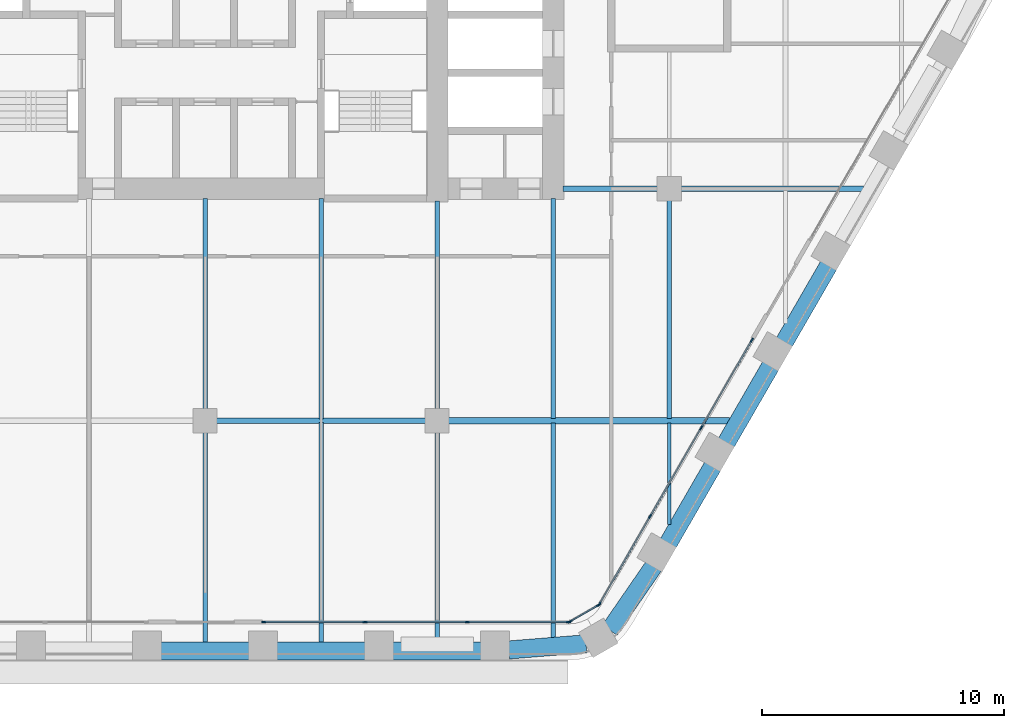
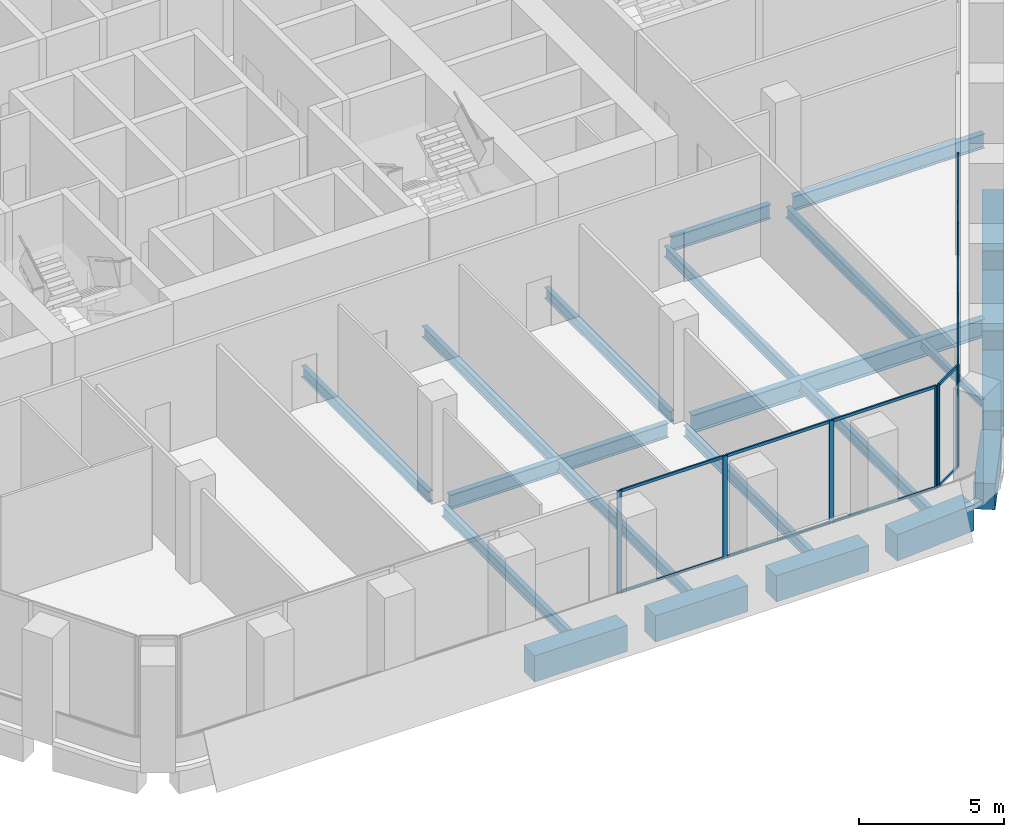
# One storey, part 4 of 22: 24 members, 22 beams, 3 elements without a shape of their own.
"""IFC4 building model written with IfcOpenShell, lengths in metres."""

from ifc_helpers import new_model, si_unit, direction, frame, origin, origin_2d, place, context, subcontext, project, spatial, rectangle, i_section, extrude, material, material_profile, profile_set, type_object, element, aggregate, save


model = new_model("IFC4")

# Units and contexts
model_context = context("Model", 3, precision=1e-05, world=origin(), true_north=direction((0.0, 1.0)))
body_context = subcontext(model_context, "Body", "Model", "MODEL_VIEW")
ifc_project = project(units=[si_unit("LENGTHUNIT", "METRE"), si_unit("AREAUNIT", "SQUARE_METRE"), si_unit("VOLUMEUNIT", "CUBIC_METRE"), si_unit("PLANEANGLEUNIT", "RADIAN"), si_unit("MASSUNIT", "GRAM", prefix="KILO")], contexts=[model_context])

# Site, building, storey
site_placement = place(None, origin())
site = spatial("IfcSite", under=ifc_project, at=site_placement, CompositionType="ELEMENT")
building_placement = place(site_placement, origin())
building = spatial("IfcBuilding", under=site, at=building_placement, Name="Kolab Exchange Tower", CompositionType="ELEMENT")
storey_placement = place(building_placement, frame((0.0, 0.0, 113.89990234375)))
storey = spatial("IfcBuildingStorey", under=building, at=storey_placement, Name="L22", CompositionType="ELEMENT", Elevation=113.89990234375)

# Beams
ifc_material_1 = material(Name="Steel S355", Category="steel")
ifc_material_profile_1 = material_profile(ifc_material_1, i_section(OverallWidth=0.1650390625, OverallDepth=0.31005859375, WebThickness=0.005859375, FlangeThickness=0.009765625, at=origin_2d()), Name="W310X39")
ifc_profile_set_1 = profile_set([ifc_material_profile_1], Name="Steel S355")
beam_type_1 = type_object("IfcBeamType", Name="FLOOR BEAM W310X39", PredefinedType="BEAM", material=ifc_profile_set_1)
beam_1_placement = place(storey_placement, frame((19.199951171875, -23.4814453125, -0.35498046875), z_axis=(0.0, 1.0, 0.0), x_axis=(-1.0, 0.0, 0.0)))
element("IfcBeam", 1, at=beam_1_placement, inside=storey, type_object=beam_type_1, Name="beam/L22/fr/040", PredefinedType="BEAM", context=body_context, shape_type="SweptSolid", body=[
    extrude(i_section(OverallWidth=0.1650390625, OverallDepth=0.31005859375, WebThickness=0.005859375, FlangeThickness=0.009765625, at=origin_2d()), origin(), (0.0, 0.0, 1.0), 4.18798828125),
])
ifc_material_profile_2 = material_profile(ifc_material_1, i_section(OverallWidth=0.18994140625, OverallDepth=0.45703125, WebThickness=0.009033203125, FlangeThickness=0.014404296875, at=origin_2d()), Name="W460X74")
ifc_profile_set_2 = profile_set([ifc_material_profile_2], Name="Steel S355")
beam_type_2 = type_object("IfcBeamType", Name="FLOOR BEAM W460X74", PredefinedType="BEAM", material=ifc_profile_set_2)
beam_2_placement = place(storey_placement, frame((0.0, -28.388427734375, -0.428466796875), z_axis=(0.0, 1.0, 0.0), x_axis=(-1.0, 0.0, 0.0)))
element("IfcBeam", 2, at=beam_2_placement, inside=storey, type_object=beam_type_2, Name="beam/L22/fr/024", PredefinedType="BEAM", context=body_context, shape_type="SweptSolid", body=[
    extrude(i_section(OverallWidth=0.18994140625, OverallDepth=0.45703125, WebThickness=0.009033203125, FlangeThickness=0.014404296875, at=origin_2d()), origin(), (0.0, 0.0, 1.0), 8.728515625),
])
beam_3_placement = place(storey_placement, frame((0.0, -18.739990234375, -0.428466796875), z_axis=(0.0, 1.0, 0.0), x_axis=(-1.0, 0.0, 0.0)))
element("IfcBeam", 3, at=beam_3_placement, inside=storey, type_object=beam_type_2, Name="beam/L22/fr/025", PredefinedType="BEAM", context=body_context, shape_type="SweptSolid", body=[
    extrude(i_section(OverallWidth=0.18994140625, OverallDepth=0.45703125, WebThickness=0.009033203125, FlangeThickness=0.014404296875, at=origin_2d()), origin(), (0.0, 0.0, 1.0), 8.72998046875),
])
beam_4_placement = place(storey_placement, frame((4.800048828125, -28.388427734375, -0.428466796875), z_axis=(0.0, 1.0, 0.0), x_axis=(-1.0, 0.0, 0.0)))
element("IfcBeam", 4, at=beam_4_placement, inside=storey, type_object=beam_type_2, Name="beam/L22/fr/028", PredefinedType="BEAM", context=body_context, shape_type="SweptSolid", body=[
    extrude(i_section(OverallWidth=0.18994140625, OverallDepth=0.45703125, WebThickness=0.009033203125, FlangeThickness=0.014404296875, at=origin_2d()), origin(), (0.0, 0.0, 1.0), 9.114501953125),
])
beam_5_placement = place(storey_placement, frame((4.800048828125, -19.1259765625, -0.428466796875), z_axis=(0.0, 1.0, 0.0), x_axis=(-1.0, 0.0, 0.0)))
element("IfcBeam", 5, at=beam_5_placement, inside=storey, type_object=beam_type_2, Name="beam/L22/fr/029", PredefinedType="BEAM", context=body_context, shape_type="SweptSolid", body=[
    extrude(i_section(OverallWidth=0.18994140625, OverallDepth=0.45703125, WebThickness=0.009033203125, FlangeThickness=0.014404296875, at=origin_2d()), origin(), (0.0, 0.0, 1.0), 9.115966796875),
])
beam_6_placement = place(storey_placement, frame((9.60009765625, -28.388427734375, -0.428466796875), z_axis=(0.0, 1.0, 0.0), x_axis=(-1.0, 0.0, 0.0)))
element("IfcBeam", 6, at=beam_6_placement, inside=storey, type_object=beam_type_2, Name="beam/L22/fr/032", PredefinedType="BEAM", context=body_context, shape_type="SweptSolid", body=[
    extrude(i_section(OverallWidth=0.18994140625, OverallDepth=0.45703125, WebThickness=0.009033203125, FlangeThickness=0.014404296875, at=origin_2d()), origin(), (0.0, 0.0, 1.0), 8.728515625),
])
beam_7_placement = place(storey_placement, frame((9.60009765625, -18.739990234375, -0.428466796875), z_axis=(0.0, 1.0, 0.0), x_axis=(-1.0, 0.0, 0.0)))
element("IfcBeam", 7, at=beam_7_placement, inside=storey, type_object=beam_type_2, Name="beam/L22/fr/033", PredefinedType="BEAM", context=body_context, shape_type="SweptSolid", body=[
    extrude(i_section(OverallWidth=0.18994140625, OverallDepth=0.45703125, WebThickness=0.009033203125, FlangeThickness=0.014404296875, at=origin_2d()), origin(), (0.0, 0.0, 1.0), 8.6298828125),
])
beam_8_placement = place(storey_placement, frame((14.39990234375, -28.194580078125, -0.428466796875), z_axis=(0.0, 1.0, 0.0), x_axis=(-1.0, 0.0, 0.0)))
element("IfcBeam", 8, at=beam_8_placement, inside=storey, type_object=beam_type_2, Name="beam/L22/fr/036", PredefinedType="BEAM", context=body_context, shape_type="SweptSolid", body=[
    extrude(i_section(OverallWidth=0.18994140625, OverallDepth=0.45703125, WebThickness=0.009033203125, FlangeThickness=0.014404296875, at=origin_2d()), origin(), (0.0, 0.0, 1.0), 8.901123046875),
])
beam_9_placement = place(storey_placement, frame((14.39990234375, -19.1064453125, -0.428466796875), z_axis=(0.0, 1.0, 0.0), x_axis=(-1.0, 0.0, 0.0)))
element("IfcBeam", 9, at=beam_9_placement, inside=storey, type_object=beam_type_2, Name="beam/L22/fr/037", PredefinedType="BEAM", context=body_context, shape_type="SweptSolid", body=[
    extrude(i_section(OverallWidth=0.18994140625, OverallDepth=0.45703125, WebThickness=0.009033203125, FlangeThickness=0.014404296875, at=origin_2d()), origin(), (0.0, 0.0, 1.0), 9.096435546875),
])
beam_10_placement = place(storey_placement, frame((19.199951171875, -19.1064453125, -0.428466796875), z_axis=(0.0, 1.0, 0.0), x_axis=(-1.0, 0.0, 0.0)))
element("IfcBeam", 10, at=beam_10_placement, inside=storey, type_object=beam_type_2, Name="beam/L22/fr/041", PredefinedType="BEAM", context=body_context, shape_type="SweptSolid", body=[
    extrude(i_section(OverallWidth=0.18994140625, OverallDepth=0.45703125, WebThickness=0.009033203125, FlangeThickness=0.014404296875, at=origin_2d()), origin(), (0.0, 0.0, 1.0), 9.04638671875),
])
ifc_material_profile_3 = material_profile(ifc_material_1, i_section(OverallWidth=0.22802734375, OverallDepth=0.60791015625, WebThickness=0.01123046875, FlangeThickness=0.017333984375, at=origin_2d()), Name="W610X113")
ifc_profile_set_3 = profile_set([ifc_material_profile_3], Name="Steel S355")
beam_type_3 = type_object("IfcBeamType", Name="FLOOR GIRDER W610X113", PredefinedType="BEAM", material=ifc_profile_set_3)
beam_11_placement = place(storey_placement, frame((0.4599609375, -19.199951171875, -0.50390625), z_axis=(1.0, 0.0, 0.0), x_axis=(0.0, 1.0, 0.0)))
element("IfcBeam", 11, at=beam_11_placement, inside=storey, type_object=beam_type_3, Name="beam/L22/gd/010", PredefinedType="BEAM", context=body_context, shape_type="SweptSolid", body=[
    extrude(i_section(OverallWidth=0.22802734375, OverallDepth=0.60791015625, WebThickness=0.01123046875, FlangeThickness=0.017333984375, at=origin_2d()), origin(), (0.0, 0.0, 1.0), 8.679931640625),
])
beam_12_placement = place(storey_placement, frame((14.81005859375, -9.60009765625, -0.50390625), z_axis=(1.0, 0.0, 0.0), x_axis=(0.0, 1.0, 0.0)))
element("IfcBeam", 12, at=beam_12_placement, inside=storey, type_object=beam_type_3, Name="beam/L22/gd/014", PredefinedType="BEAM", context=body_context, shape_type="SweptSolid", body=[
    extrude(i_section(OverallWidth=0.22802734375, OverallDepth=0.60791015625, WebThickness=0.01123046875, FlangeThickness=0.017333984375, at=origin_2d()), origin(), (0.0, 0.0, 1.0), 3.929931640625),
])
beam_13_placement = place(storey_placement, frame((19.659912109375, -9.60009765625, -0.50390625), z_axis=(1.0, 0.0, 0.0), x_axis=(0.0, 1.0, 0.0)))
element("IfcBeam", 13, at=beam_13_placement, inside=storey, type_object=beam_type_3, Name="beam/L22/gd/017", PredefinedType="BEAM", context=body_context, shape_type="SweptSolid", body=[
    extrude(i_section(OverallWidth=0.22802734375, OverallDepth=0.60791015625, WebThickness=0.01123046875, FlangeThickness=0.017333984375, at=origin_2d()), origin(), (0.0, 0.0, 1.0), 7.571533203125),
])
ifc_material_profile_4 = material_profile(ifc_material_1, i_section(OverallWidth=0.26708984375, OverallDepth=0.761962890625, WebThickness=0.014404296875, FlangeThickness=0.021484375, at=origin_2d()), Name="W760X173")
ifc_profile_set_4 = profile_set([ifc_material_profile_4], Name="Steel S355")
beam_type_4 = type_object("IfcBeamType", Name="FLOOR GIRDER W760X173", PredefinedType="BEAM", material=ifc_profile_set_4)
beam_14_placement = place(storey_placement, frame((10.06005859375, -19.199951171875, -0.580810546875), z_axis=(1.0, 0.0, 0.0), x_axis=(0.0, 1.0, 0.0)))
element("IfcBeam", 14, at=beam_14_placement, inside=storey, type_object=beam_type_4, Name="beam/L22/gd/012", PredefinedType="BEAM", context=body_context, shape_type="SweptSolid", body=[
    extrude(i_section(OverallWidth=0.26708984375, OverallDepth=0.761962890625, WebThickness=0.014404296875, FlangeThickness=0.021484375, at=origin_2d()), origin(), (0.0, 0.0, 1.0), 11.628662109375),
])
ifc_material_2 = material(Name="Concrete C70/85", Category="concrete")
ifc_material_profile_5 = material_profile(ifc_material_2, rectangle(XDim=0.75, YDim=1.10009765625, at=origin_2d()), Name="RC750X1100")
ifc_profile_set_5 = profile_set([ifc_material_profile_5], Name="Concrete C70/85")
beam_type_5 = type_object("IfcBeamType", Name="SPANDREL BEAM 750X1100 C70/85", PredefinedType="BEAM", material=ifc_profile_set_5)
beam_15_placement = place(storey_placement, frame((25.795166015625, -12.768310546875, -0.75), z_axis=(-0.499963655964, -0.866046386007, 0.0), x_axis=(0.866046386007, -0.499963655964, 0.0)))
element("IfcBeam", 15, at=beam_15_placement, inside=storey, type_object=beam_type_5, Name="beam/L22/sp/F3-04", PredefinedType="BEAM", context=body_context, shape_type="SweptSolid", body=[
    extrude(rectangle(XDim=0.75, YDim=1.10009765625, at=origin_2d()), origin(), (0.0, 0.0, 1.0), 3.679931640625),
])
for number, where, z_axis, x_axis, name in (
    (16, (23.395263671875, -16.925048828125, -0.75), (-0.500013413428, -0.866017659399, 0.0), (0.866017659399, -0.500013413428, 0.0), "beam/L22/sp/F3-05"),
    (17, (20.995361328125, -21.08203125, -0.75), (-0.500013413428, -0.866017659399, 0.0), (0.866017659399, -0.500013413428, 0.0), "beam/L22/sp/F3-06"),
):
    element("IfcBeam", number, at=place(storey_placement, frame(where, z_axis=z_axis, x_axis=x_axis)), inside=storey, type_object=beam_type_5, Name=name, PredefinedType="BEAM", context=body_context, shape_type="SweptSolid", body=[
        extrude(rectangle(XDim=0.75, YDim=1.10009765625, at=origin_2d()), origin(), (0.0, 0.0, 1.0), 3.68017578125),
    ])
for number, where, z_axis, x_axis, name in (
    (18, (18.55615234375, -25.216552734375, -0.75), (-0.567661826262, -0.823261836237, 0.0), (0.823261836237, -0.567661826262, 0.0), "beam/L22/sp/F3-07"),
    (19, (15.75830078125, -28.421630859375, -0.75), (-0.996791038408, -0.080047646748, 0.0), (0.080047646748, -0.996791038408, 0.0), "beam/L22/sp/F4-01"),
):
    element("IfcBeam", number, at=place(storey_placement, frame(where, z_axis=z_axis, x_axis=x_axis)), inside=storey, type_object=beam_type_5, Name=name, PredefinedType="BEAM", context=body_context, shape_type="SweptSolid", body=[
        extrude(rectangle(XDim=0.75, YDim=1.10009765625, at=origin_2d()), origin(), (0.0, 0.0, 1.0), 3.20849609375),
    ])
for number, where, z_axis, x_axis, name in (
    (20, (11.43994140625, -28.723388671875, -0.75), (-1.0, 0.0, 0.0), (0.0, -1.0, 0.0), "beam/L22/sp/F4-02"),
    (21, (6.639892578125, -28.723388671875, -0.75), (-1.0, 0.0, 0.0), (0.0, -1.0, 0.0), "beam/L22/sp/F4-03"),
):
    element("IfcBeam", number, at=place(storey_placement, frame(where, z_axis=z_axis, x_axis=x_axis)), inside=storey, type_object=beam_type_5, Name=name, PredefinedType="BEAM", context=body_context, shape_type="SweptSolid", body=[
        extrude(rectangle(XDim=0.75, YDim=1.10009765625, at=origin_2d()), origin(), (0.0, 0.0, 1.0), 3.679931640625),
    ])
beam_16_placement = place(storey_placement, frame((1.840087890625, -28.723388671875, -0.75), z_axis=(-1.0, 0.0, 0.0), x_axis=(0.0, -1.0, 0.0)))
element("IfcBeam", 22, at=beam_16_placement, inside=storey, type_object=beam_type_5, Name="beam/L22/sp/F4-04", PredefinedType="BEAM", context=body_context, shape_type="SweptSolid", body=[
    extrude(rectangle(XDim=0.75, YDim=1.10009765625, at=origin_2d()), origin(), (0.0, 0.0, 1.0), 3.68017578125),
])

# Curtain wall, members
ifc_material_3 = material(Name="Aluminium EN AW-6063 T6", Category="aluminium")
curtain_wall_type = type_object("IfcCurtainWallType", Name="UNITISED LOWER MID ZONE CURTAIN WALL", PredefinedType="NOTDEFINED", material=ifc_material_3)
curtain_wall_1_placement = place(storey_placement, origin())
curtain_wall_1 = element("IfcCurtainWall", 23, at=curtain_wall_1_placement, inside=storey, type_object=curtain_wall_type, Name="cw/L22/F3-2", PredefinedType="NOTDEFINED")
ifc_material_profile_6 = material_profile(ifc_material_3, rectangle(XDim=0.06005859375, YDim=0.179931640625, at=origin_2d()), Name="RECT 60X180")
ifc_profile_set_6 = profile_set([ifc_material_profile_6], Name="Aluminium EN AW-6063 T6")
member_type_1 = type_object("IfcMemberType", Name="UNITISED LOWER MID ZONE MULLION 60 X 180", PredefinedType="MULLION", material=ifc_profile_set_6)
member_1_placement = place(storey_placement, frame((22.61669921875, -15.86376953125, 0.0), z_axis=(0.0, 0.0, 1.0), x_axis=(0.866025393644, -0.500000017564, 0.0)))
member_1 = element("IfcMember", 24, at=member_1_placement, type_object=member_type_1, Name="CW2 mullion 1", PredefinedType="MULLION", context=body_context, shape_type="SweptSolid", body=[
    extrude(rectangle(XDim=0.06005859375, YDim=0.179931640625, at=origin_2d()), origin(), (0.0, 0.0, 1.0), 4.300048828125),
])
member_2_placement = place(storey_placement, frame((20.520263671875, -19.49462890625, 0.0), z_axis=(0.0, 0.0, 1.0), x_axis=(0.866025393644, -0.500000017564, 0.0)))
member_2 = element("IfcMember", 25, at=member_2_placement, type_object=member_type_1, Name="CW2 mullion 2", PredefinedType="MULLION", context=body_context, shape_type="SweptSolid", body=[
    extrude(rectangle(XDim=0.06005859375, YDim=0.179931640625, at=origin_2d()), origin(), (0.0, 0.0, 1.0), 4.300048828125),
])
member_3_placement = place(storey_placement, frame((18.408935546875, -23.151611328125, 0.0), z_axis=(0.0, 0.0, 1.0), x_axis=(0.866025393644, -0.500000017564, 0.0)))
member_3 = element("IfcMember", 26, at=member_3_placement, type_object=member_type_1, Name="CW2 mullion 3", PredefinedType="MULLION", context=body_context, shape_type="SweptSolid", body=[
    extrude(rectangle(XDim=0.06005859375, YDim=0.179931640625, at=origin_2d()), origin(), (0.0, 0.0, 1.0), 4.300048828125),
])
member_4_placement = place(storey_placement, frame((16.312744140625, -26.782470703125, 0.0), z_axis=(0.0, 0.0, 1.0), x_axis=(0.866025393644, -0.500000017564, 0.0)))
member_4 = element("IfcMember", 27, at=member_4_placement, type_object=member_type_1, Name="CW2 mullion 4", PredefinedType="MULLION", context=body_context, shape_type="SweptSolid", body=[
    extrude(rectangle(XDim=0.06005859375, YDim=0.179931640625, at=origin_2d()), origin(), (0.0, 0.0, 1.0), 4.300048828125),
])

curtain_wall_2_placement = place(storey_placement, origin())
curtain_wall_2 = element("IfcCurtainWall", 28, at=curtain_wall_2_placement, inside=storey, type_object=curtain_wall_type, Name="cw/L22/F4-1", PredefinedType="NOTDEFINED")
member_5_placement = place(storey_placement, frame((15.037841796875, -27.5185546875, 0.0), z_axis=(0.0, 0.0, 1.0), x_axis=(0.0, -1.0, 0.0)))
member_5 = element("IfcMember", 29, at=member_5_placement, type_object=member_type_1, Name="CW2 mullion 1", PredefinedType="MULLION", context=body_context, shape_type="SweptSolid", body=[
    extrude(rectangle(XDim=0.06005859375, YDim=0.179931640625, at=origin_2d()), origin(), (0.0, 0.0, 1.0), 4.300048828125),
])
member_6_placement = place(storey_placement, frame((10.84521484375, -27.5185546875, 0.0), z_axis=(0.0, 0.0, 1.0), x_axis=(0.0, -1.0, 0.0)))
member_6 = element("IfcMember", 30, at=member_6_placement, type_object=member_type_1, Name="CW2 mullion 2", PredefinedType="MULLION", context=body_context, shape_type="SweptSolid", body=[
    extrude(rectangle(XDim=0.06005859375, YDim=0.179931640625, at=origin_2d()), origin(), (0.0, 0.0, 1.0), 4.300048828125),
])
member_7_placement = place(storey_placement, frame((6.62255859375, -27.5185546875, 0.0), z_axis=(0.0, 0.0, 1.0), x_axis=(0.0, -1.0, 0.0)))
member_7 = element("IfcMember", 31, at=member_7_placement, type_object=member_type_1, Name="CW2 mullion 3", PredefinedType="MULLION", context=body_context, shape_type="SweptSolid", body=[
    extrude(rectangle(XDim=0.06005859375, YDim=0.179931640625, at=origin_2d()), origin(), (0.0, 0.0, 1.0), 4.300048828125),
])
member_8_placement = place(storey_placement, frame((2.429931640625, -27.5185546875, 0.0), z_axis=(0.0, 0.0, 1.0), x_axis=(0.0, -1.0, 0.0)))
member_8 = element("IfcMember", 32, at=member_8_placement, type_object=member_type_1, Name="CW2 mullion 4", PredefinedType="MULLION", context=body_context, shape_type="SweptSolid", body=[
    extrude(rectangle(XDim=0.06005859375, YDim=0.179931640625, at=origin_2d()), origin(), (0.0, 0.0, 1.0), 4.300048828125),
])

curtain_wall_3_placement = place(storey_placement, origin())
curtain_wall_3 = element("IfcCurtainWall", 33, at=curtain_wall_3_placement, inside=storey, type_object=curtain_wall_type, Name="cw/L22/F3F4-corner", PredefinedType="NOTDEFINED")
member_9_placement = place(storey_placement, frame((16.271728515625, -26.823486328125, 0.0), z_axis=(0.0, 0.0, 1.0), x_axis=(0.50000002237, -0.866025390869, 0.0)))
member_9 = element("IfcMember", 34, at=member_9_placement, type_object=member_type_1, Name="CW2 mullion 1", PredefinedType="MULLION", context=body_context, shape_type="SweptSolid", body=[
    extrude(rectangle(XDim=0.06005859375, YDim=0.179931640625, at=origin_2d()), origin(), (0.0, 0.0, 1.0), 4.300048828125),
])
member_10_placement = place(storey_placement, frame((15.093994140625, -27.50341796875, 0.0), z_axis=(0.0, 0.0, 1.0), x_axis=(0.50000002237, -0.866025390869, 0.0)))
member_10 = element("IfcMember", 35, at=member_10_placement, type_object=member_type_1, Name="CW2 mullion 2", PredefinedType="MULLION", context=body_context, shape_type="SweptSolid", body=[
    extrude(rectangle(XDim=0.06005859375, YDim=0.179931640625, at=origin_2d()), origin(), (0.0, 0.0, 1.0), 4.300048828125),
])

# Member
ifc_material_profile_7 = material_profile(ifc_material_3, rectangle(XDim=0.06005859375, YDim=0.1201171875, at=origin_2d()), Name="RECT 60X120")
ifc_profile_set_7 = profile_set([ifc_material_profile_7], Name="Aluminium EN AW-6063 T6")
member_type_2 = type_object("IfcMemberType", Name="UNITISED LOWER MID ZONE TRANSOM 60 X 120", PredefinedType="USERDEFINED", material=ifc_profile_set_7)
member_11_placement = place(storey_placement, frame((22.6015625, -15.8896484375, 0.030029296875), z_axis=(-0.499957688808, -0.866049830784, 0.0), x_axis=(0.866049830784, -0.499957688808, 0.0)))
member_11 = element("IfcMember", 36, at=member_11_placement, type_object=member_type_2, Name="CW2 transom 1.1", ObjectType="TRANSOM", PredefinedType="USERDEFINED", context=body_context, shape_type="SweptSolid", body=[
    extrude(rectangle(XDim=0.06005859375, YDim=0.1201171875, at=origin_2d()), origin(), (0.0, 0.0, 1.0), 4.132568359375),
])

member_12_placement = place(storey_placement, frame((22.6015625, -15.8896484375, 4.27001953125), z_axis=(-0.499957688808, -0.866049830784, 0.0), x_axis=(0.866049830784, -0.499957688808, 0.0)))
member_12 = element("IfcMember", 37, at=member_12_placement, type_object=member_type_2, Name="CW2 transom 1.2", ObjectType="TRANSOM", PredefinedType="USERDEFINED", context=body_context, shape_type="SweptSolid", body=[
    extrude(rectangle(XDim=0.06005859375, YDim=0.1201171875, at=origin_2d()), origin(), (0.0, 0.0, 1.0), 4.132568359375),
])

member_13_placement = place(storey_placement, frame((20.50537109375, -19.5205078125, 0.030029296875), z_axis=(-0.49999322259, -0.866029316688, 0.0), x_axis=(0.866029316688, -0.49999322259, 0.0)))
member_13 = element("IfcMember", 38, at=member_13_placement, type_object=member_type_2, Name="CW2 transom 2.1", ObjectType="TRANSOM", PredefinedType="USERDEFINED", context=body_context, shape_type="SweptSolid", body=[
    extrude(rectangle(XDim=0.06005859375, YDim=0.1201171875, at=origin_2d()), origin(), (0.0, 0.0, 1.0), 4.16259765625),
])

member_14_placement = place(storey_placement, frame((20.50537109375, -19.5205078125, 4.27001953125), z_axis=(-0.49999322259, -0.866029316688, 0.0), x_axis=(0.866029316688, -0.49999322259, 0.0)))
member_14 = element("IfcMember", 39, at=member_14_placement, type_object=member_type_2, Name="CW2 transom 2.2", ObjectType="TRANSOM", PredefinedType="USERDEFINED", context=body_context, shape_type="SweptSolid", body=[
    extrude(rectangle(XDim=0.06005859375, YDim=0.1201171875, at=origin_2d()), origin(), (0.0, 0.0, 1.0), 4.16259765625),
])

member_15_placement = place(storey_placement, frame((18.39404296875, -23.177490234375, 0.030029296875), z_axis=(-0.500001996123, -0.866024251319, 0.0), x_axis=(0.866024251319, -0.500001996123, 0.0)))
member_15 = element("IfcMember", 40, at=member_15_placement, type_object=member_type_2, Name="CW2 transom 3.1", ObjectType="TRANSOM", PredefinedType="USERDEFINED", context=body_context, shape_type="SweptSolid", body=[
    extrude(rectangle(XDim=0.06005859375, YDim=0.1201171875, at=origin_2d()), origin(), (0.0, 0.0, 1.0), 4.1328125),
])

member_16_placement = place(storey_placement, frame((18.39404296875, -23.177490234375, 4.27001953125), z_axis=(-0.500001996123, -0.866024251319, 0.0), x_axis=(0.866024251319, -0.500001996123, 0.0)))
member_16 = element("IfcMember", 41, at=member_16_placement, type_object=member_type_2, Name="CW2 transom 3.2", ObjectType="TRANSOM", PredefinedType="USERDEFINED", context=body_context, shape_type="SweptSolid", body=[
    extrude(rectangle(XDim=0.06005859375, YDim=0.1201171875, at=origin_2d()), origin(), (0.0, 0.0, 1.0), 4.1328125),
])

aggregate(curtain_wall_1, [member_1, member_2, member_3, member_4, member_11, member_12, member_13, member_14, member_15, member_16])

member_17_placement = place(storey_placement, frame((15.008056640625, -27.5185546875, 0.030029296875), z_axis=(-1.0, 0.0, 0.0), x_axis=(0.0, -1.0, 0.0)))
member_17 = element("IfcMember", 42, at=member_17_placement, type_object=member_type_2, Name="CW2 transom 1.1", ObjectType="TRANSOM", PredefinedType="USERDEFINED", context=body_context, shape_type="SweptSolid", body=[
    extrude(rectangle(XDim=0.06005859375, YDim=0.1201171875, at=origin_2d()), origin(), (0.0, 0.0, 1.0), 4.1328125),
])

member_18_placement = place(storey_placement, frame((15.008056640625, -27.5185546875, 4.27001953125), z_axis=(-1.0, 0.0, 0.0), x_axis=(0.0, -1.0, 0.0)))
member_18 = element("IfcMember", 43, at=member_18_placement, type_object=member_type_2, Name="CW2 transom 1.2", ObjectType="TRANSOM", PredefinedType="USERDEFINED", context=body_context, shape_type="SweptSolid", body=[
    extrude(rectangle(XDim=0.06005859375, YDim=0.1201171875, at=origin_2d()), origin(), (0.0, 0.0, 1.0), 4.1328125),
])

member_19_placement = place(storey_placement, frame((10.815185546875, -27.5185546875, 0.030029296875), z_axis=(-1.0, 0.0, 0.0), x_axis=(0.0, -1.0, 0.0)))
member_19 = element("IfcMember", 44, at=member_19_placement, type_object=member_type_2, Name="CW2 transom 2.1", ObjectType="TRANSOM", PredefinedType="USERDEFINED", context=body_context, shape_type="SweptSolid", body=[
    extrude(rectangle(XDim=0.06005859375, YDim=0.1201171875, at=origin_2d()), origin(), (0.0, 0.0, 1.0), 4.16259765625),
])

member_20_placement = place(storey_placement, frame((10.815185546875, -27.5185546875, 4.27001953125), z_axis=(-1.0, 0.0, 0.0), x_axis=(0.0, -1.0, 0.0)))
member_20 = element("IfcMember", 45, at=member_20_placement, type_object=member_type_2, Name="CW2 transom 2.2", ObjectType="TRANSOM", PredefinedType="USERDEFINED", context=body_context, shape_type="SweptSolid", body=[
    extrude(rectangle(XDim=0.06005859375, YDim=0.1201171875, at=origin_2d()), origin(), (0.0, 0.0, 1.0), 4.16259765625),
])

member_21_placement = place(storey_placement, frame((6.592529296875, -27.5185546875, 0.030029296875), z_axis=(-1.0, 0.0, 0.0), x_axis=(0.0, -1.0, 0.0)))
member_21 = element("IfcMember", 46, at=member_21_placement, type_object=member_type_2, Name="CW2 transom 3.1", ObjectType="TRANSOM", PredefinedType="USERDEFINED", context=body_context, shape_type="SweptSolid", body=[
    extrude(rectangle(XDim=0.06005859375, YDim=0.1201171875, at=origin_2d()), origin(), (0.0, 0.0, 1.0), 4.132568359375),
])

member_22_placement = place(storey_placement, frame((6.592529296875, -27.5185546875, 4.27001953125), z_axis=(-1.0, 0.0, 0.0), x_axis=(0.0, -1.0, 0.0)))
member_22 = element("IfcMember", 47, at=member_22_placement, type_object=member_type_2, Name="CW2 transom 3.2", ObjectType="TRANSOM", PredefinedType="USERDEFINED", context=body_context, shape_type="SweptSolid", body=[
    extrude(rectangle(XDim=0.06005859375, YDim=0.1201171875, at=origin_2d()), origin(), (0.0, 0.0, 1.0), 4.132568359375),
])

aggregate(curtain_wall_2, [member_5, member_6, member_7, member_8, member_17, member_18, member_19, member_20, member_21, member_22])

member_23_placement = place(storey_placement, frame((16.245849609375, -26.83837890625, 0.030029296875), z_axis=(-0.866004217611, -0.500036693733, 0.0), x_axis=(0.500036693733, -0.866004217611, 0.0)))
member_23 = element("IfcMember", 48, at=member_23_placement, type_object=member_type_2, Name="CW2 transom 1.1", ObjectType="TRANSOM", PredefinedType="USERDEFINED", context=body_context, shape_type="SweptSolid", body=[
    extrude(rectangle(XDim=0.06005859375, YDim=0.1201171875, at=origin_2d()), origin(), (0.0, 0.0, 1.0), 1.30029296875),
])

member_24_placement = place(storey_placement, frame((16.245849609375, -26.83837890625, 4.27001953125), z_axis=(-0.866004217611, -0.500036693733, 0.0), x_axis=(0.500036693733, -0.866004217611, 0.0)))
member_24 = element("IfcMember", 49, at=member_24_placement, type_object=member_type_2, Name="CW2 transom 1.2", ObjectType="TRANSOM", PredefinedType="USERDEFINED", context=body_context, shape_type="SweptSolid", body=[
    extrude(rectangle(XDim=0.06005859375, YDim=0.1201171875, at=origin_2d()), origin(), (0.0, 0.0, 1.0), 1.30029296875),
])

aggregate(curtain_wall_3, [member_9, member_10, member_23, member_24])

save(model, "model.ifc")
